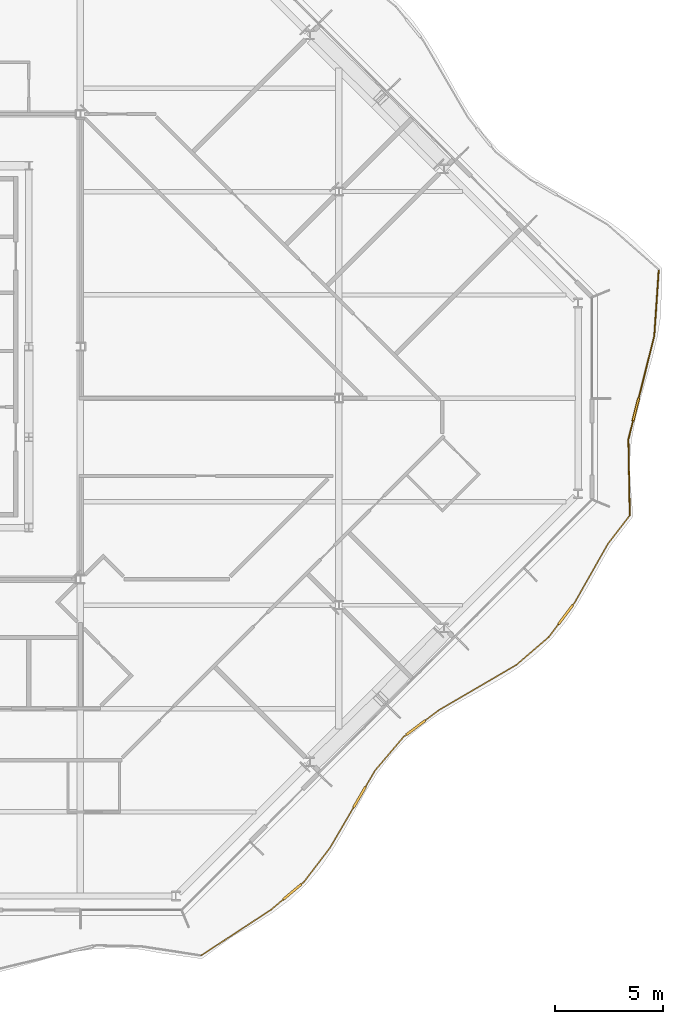
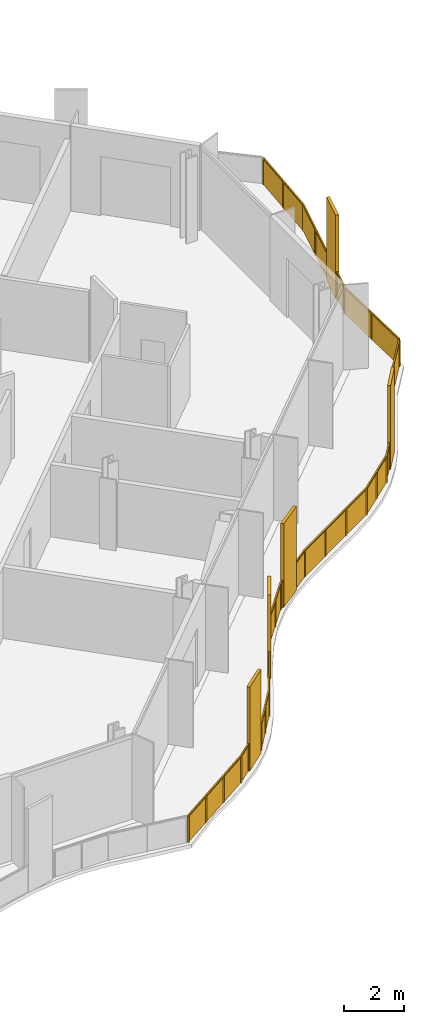
# One storey, part 15 of 17: 2 railings.
"""IFC4 building model written with IfcOpenShell, lengths in metres."""

from ifc_helpers import new_model, si_unit, direction, frame, origin, origin_2d, place, context, subcontext, project, spatial, polyline, rectangle, outline, extrude, material, type_object, element, save


model = new_model("IFC4")

# Units and contexts
model_context = context("Model", 3, precision=1e-05, world=origin(), true_north=direction((0.0, 1.0)))
body_context = subcontext(model_context, "Body", "Model", "MODEL_VIEW")
ifc_project = project(units=[si_unit("LENGTHUNIT", "METRE"), si_unit("AREAUNIT", "SQUARE_METRE"), si_unit("VOLUMEUNIT", "CUBIC_METRE"), si_unit("PLANEANGLEUNIT", "RADIAN"), si_unit("MASSUNIT", "GRAM", prefix="KILO")], contexts=[model_context])

# Site, building, storey
site_placement = place(None, origin())
site = spatial("IfcSite", under=ifc_project, at=site_placement, CompositionType="ELEMENT")
building_placement = place(site_placement, origin())
building = spatial("IfcBuilding", under=site, at=building_placement, Name="Cairn Pilgrim Tower", CompositionType="ELEMENT")
storey_placement = place(building_placement, frame((0.0, 0.0, 214.199951171875)))
storey = spatial("IfcBuildingStorey", under=building, at=storey_placement, Name="L54", CompositionType="ELEMENT", Elevation=214.199951171875)

# Railings
ifc_material = material(Name="Bronze anodised aluminium rail, posts and fin screens with laminated glass infill", Category="aluminium")
railing_type = type_object("IfcRailingType", Name="BALCONY GUARD WITH FIN SCREENS", PredefinedType="GUARDRAIL", material=ifc_material)
railing_1_placement = place(storey_placement, frame((24.802001953125, -25.861328125, 0.0)))
element("IfcRailing", 1, at=railing_1_placement, inside=storey, type_object=railing_type, Name="Balcony guard BGF-1 with fin screens", PredefinedType="GUARDRAIL", context=body_context, shape_type="SweptSolid", body=[
    extrude(rectangle(XDim=0.050048828125, YDim=0.050048828125, at=origin_2d()), frame((0.0, 0.0, 1.0751953125), z_axis=(0.836813982125, 0.5474873143, 0.0), x_axis=(-0.5474873143, 0.836813982125, 0.0)), (0.0, 0.0, 1.0), 3.869873046875),
    extrude(rectangle(XDim=1.10009765625, YDim=0.110107421875, at=origin_2d()), frame((4.22802734375, 2.951171875, 0.0), z_axis=(0.0, 0.0, 1.0), x_axis=(0.765241410495, 0.643743414462, 0.0)), (0.0, 0.0, 1.0), 3.39990234375),
    extrude(rectangle(XDim=0.050048828125, YDim=0.050048828125, at=origin_2d()), frame((3.23828125, 2.11865234375, 1.0751953125), z_axis=(0.765241410495, 0.643743414462, 0.0), x_axis=(-0.643743414462, 0.765241410495, 0.0)), (0.0, 0.0, 1.0), 0.7431640625),
    extrude(rectangle(XDim=0.050048828125, YDim=0.050048828125, at=origin_2d()), frame((4.648681640625, 3.30517578125, 1.0751953125), z_axis=(0.765241410495, 0.643743414462, 0.0), x_axis=(-0.643743414462, 0.765241410495, 0.0)), (0.0, 0.0, 1.0), 0.150146484375),
    extrude(rectangle(XDim=0.050048828125, YDim=0.050048828125, at=origin_2d()), frame((4.763671875, 3.40185546875, 1.0751953125), z_axis=(0.607151512151, 0.794586081739, 0.0), x_axis=(-0.794586081739, 0.607151512151, 0.0)), (0.0, 0.0, 1.0), 2.00341796875),
    extrude(rectangle(XDim=1.10009765625, YDim=0.110107421875, at=origin_2d()), frame((7.353515625, 7.350341796875, 0.0), z_axis=(0.0, 0.0, 1.0), x_axis=(0.503546529714, 0.863968108447, 0.0)), (0.0, 0.0, 1.0), 3.39990234375),
    extrude(rectangle(XDim=0.050048828125, YDim=0.050048828125, at=origin_2d()), frame((5.97998046875, 4.99365234375, 1.0751953125), z_axis=(0.503546529714, 0.863968108447, 0.0), x_axis=(-0.863968108447, 0.503546529714, 0.0)), (0.0, 0.0, 1.0), 2.177978515625),
    extrude(rectangle(XDim=0.050048828125, YDim=0.050048828125, at=origin_2d()), frame((7.630615234375, 7.82568359375, 1.0751953125), z_axis=(0.503546529714, 0.863968108447, 0.0), x_axis=(-0.863968108447, 0.503546529714, 0.0)), (0.0, 0.0, 1.0), 0.885986328125),
    extrude(rectangle(XDim=0.050048828125, YDim=0.050048828125, at=origin_2d()), frame((8.07666015625, 8.591064453125, 1.0751953125), z_axis=(0.64749613489, 0.762068733975, 0.0), x_axis=(-0.762068733975, 0.64749613489, 0.0)), (0.0, 0.0, 1.0), 2.0478515625),
    extrude(rectangle(XDim=1.10009765625, YDim=0.110107421875, at=origin_2d()), frame((9.960693359375, 10.57421875, 0.0), z_axis=(0.0, 0.0, 1.0), x_axis=(0.797183939846, 0.603736503825, 0.0)), (0.0, 0.0, 1.0), 3.39990234375),
    extrude(rectangle(XDim=0.050048828125, YDim=0.050048828125, at=origin_2d()), frame((9.402587890625, 10.151611328125, 1.0751953125), z_axis=(0.797183939846, 0.603736503825, 0.0), x_axis=(-0.603736503825, 0.797183939846, 0.0)), (0.0, 0.0, 1.0), 0.14990234375),
    extrude(rectangle(XDim=0.050048828125, YDim=0.050048828125, at=origin_2d()), frame((10.39892578125, 10.90625, 1.0751953125), z_axis=(0.797183939846, 0.603736503825, 0.0), x_axis=(-0.603736503825, 0.797183939846, 0.0)), (0.0, 0.0, 1.0), 0.805908203125),
    extrude(rectangle(XDim=0.050048828125, YDim=0.050048828125, at=origin_2d()), frame((11.04150390625, 11.392822265625, 1.0751953125), z_axis=(0.863712826562, 0.503984278755, 0.0), x_axis=(-0.503984278755, 0.863712826562, 0.0)), (0.0, 0.0, 1.0), 4.15478515625),
    extrude(rectangle(XDim=0.050048828125, YDim=0.050048828125, at=origin_2d()), frame((14.630126953125, 13.48681640625, 1.0751953125), z_axis=(0.75897903258, 0.651115065179, 0.0), x_axis=(-0.651115065179, 0.75897903258, 0.0)), (0.0, 0.0, 1.0), 1.9873046875),
    extrude(rectangle(XDim=1.10009765625, YDim=0.110107421875, at=origin_2d()), frame((16.922119140625, 15.824951171875, 0.0), z_axis=(0.0, 0.0, 1.0), x_axis=(0.600194771592, 0.799853884252, 0.0)), (0.0, 0.0, 1.0), 3.39990234375),
    extrude(rectangle(XDim=0.050048828125, YDim=0.050048828125, at=origin_2d()), frame((16.138427734375, 14.78076171875, 1.0751953125), z_axis=(0.600194771592, 0.799853884252, 0.0), x_axis=(-0.799853884252, 0.600194771592, 0.0)), (0.0, 0.0, 1.0), 0.755615234375),
    extrude(rectangle(XDim=0.050048828125, YDim=0.050048828125, at=origin_2d()), frame((17.252197265625, 16.264892578125, 1.0751953125), z_axis=(0.600194771592, 0.799853884252, 0.0), x_axis=(-0.799853884252, 0.600194771592, 0.0)), (0.0, 0.0, 1.0), 0.14990234375),
    extrude(rectangle(XDim=0.050048828125, YDim=0.050048828125, at=origin_2d()), frame((17.342041015625, 16.384765625, 1.0751953125), z_axis=(0.492617157518, 0.870246135366, 0.0), x_axis=(-0.870246135366, 0.492617157518, 0.0)), (0.0, 0.0, 1.0), 3.131591796875),
    extrude(rectangle(XDim=0.050048828125, YDim=0.050048828125, at=origin_2d()), frame((18.884765625, 19.110107421875, 1.0751953125), z_axis=(0.609997930091, 0.792403006863, 0.0), x_axis=(-0.792403006863, 0.609997930091, 0.0)), (0.0, 0.0, 1.0), 1.60205078125),
    extrude(rectangle(XDim=0.050048828125, YDim=0.050048828125, at=origin_2d()), origin(), (0.0, 0.0, 1.0), 1.050048828125),
    extrude(rectangle(XDim=0.050048828125, YDim=0.050048828125, at=origin_2d()), frame((1.079345703125, 0.706298828125, 0.0)), (0.0, 0.0, 1.0), 1.050048828125),
    extrude(rectangle(XDim=0.050048828125, YDim=0.050048828125, at=origin_2d()), frame((2.158935546875, 1.412353515625, 0.0)), (0.0, 0.0, 1.0), 1.050048828125),
    extrude(rectangle(XDim=0.050048828125, YDim=0.050048828125, at=origin_2d()), frame((3.23828125, 2.11865234375, 0.0)), (0.0, 0.0, 1.0), 1.050048828125),
    extrude(rectangle(XDim=0.050048828125, YDim=0.050048828125, at=origin_2d()), frame((3.787841796875, 2.5810546875, 0.0)), (0.0, 0.0, 1.0), 1.050048828125),
    extrude(rectangle(XDim=0.050048828125, YDim=0.050048828125, at=origin_2d()), frame((4.66796875, 3.3212890625, 0.0)), (0.0, 0.0, 1.0), 1.050048828125),
    extrude(rectangle(XDim=0.050048828125, YDim=0.050048828125, at=origin_2d()), frame((4.763671875, 3.40185546875, 0.0)), (0.0, 0.0, 1.0), 1.050048828125),
    extrude(rectangle(XDim=0.050048828125, YDim=0.050048828125, at=origin_2d()), frame((5.371826171875, 4.19775390625, 0.0)), (0.0, 0.0, 1.0), 1.050048828125),
    extrude(rectangle(XDim=0.050048828125, YDim=0.050048828125, at=origin_2d()), frame((5.97998046875, 4.99365234375, 0.0)), (0.0, 0.0, 1.0), 1.050048828125),
    extrude(rectangle(XDim=0.050048828125, YDim=0.050048828125, at=origin_2d()), frame((6.52197265625, 5.923583984375, 0.0)), (0.0, 0.0, 1.0), 1.050048828125),
    extrude(rectangle(XDim=0.050048828125, YDim=0.050048828125, at=origin_2d()), frame((7.06396484375, 6.853759765625, 0.0)), (0.0, 0.0, 1.0), 1.050048828125),
    extrude(rectangle(XDim=0.050048828125, YDim=0.050048828125, at=origin_2d()), frame((7.64306640625, 7.84716796875, 0.0)), (0.0, 0.0, 1.0), 1.050048828125),
    extrude(rectangle(XDim=0.050048828125, YDim=0.050048828125, at=origin_2d()), frame((8.07666015625, 8.591064453125, 0.0)), (0.0, 0.0, 1.0), 1.050048828125),
    extrude(rectangle(XDim=0.050048828125, YDim=0.050048828125, at=origin_2d()), frame((8.73974609375, 9.371337890625, 0.0)), (0.0, 0.0, 1.0), 1.050048828125),
    extrude(rectangle(XDim=0.050048828125, YDim=0.050048828125, at=origin_2d()), frame((9.402587890625, 10.151611328125, 0.0)), (0.0, 0.0, 1.0), 1.050048828125),
    extrude(rectangle(XDim=0.050048828125, YDim=0.050048828125, at=origin_2d()), frame((9.502197265625, 10.22705078125, 0.0)), (0.0, 0.0, 1.0), 1.050048828125),
    extrude(rectangle(XDim=0.050048828125, YDim=0.050048828125, at=origin_2d()), frame((10.4189453125, 10.92138671875, 0.0)), (0.0, 0.0, 1.0), 1.050048828125),
    extrude(rectangle(XDim=0.050048828125, YDim=0.050048828125, at=origin_2d()), frame((11.04150390625, 11.392822265625, 0.0)), (0.0, 0.0, 1.0), 1.050048828125),
    extrude(rectangle(XDim=0.050048828125, YDim=0.050048828125, at=origin_2d()), frame((12.23779296875, 12.0908203125, 0.0)), (0.0, 0.0, 1.0), 1.050048828125),
    extrude(rectangle(XDim=0.050048828125, YDim=0.050048828125, at=origin_2d()), frame((13.433837890625, 12.788818359375, 0.0)), (0.0, 0.0, 1.0), 1.050048828125),
    extrude(rectangle(XDim=0.050048828125, YDim=0.050048828125, at=origin_2d()), frame((14.630126953125, 13.48681640625, 0.0)), (0.0, 0.0, 1.0), 1.050048828125),
    extrude(rectangle(XDim=0.050048828125, YDim=0.050048828125, at=origin_2d()), frame((15.38427734375, 14.1337890625, 0.0)), (0.0, 0.0, 1.0), 1.050048828125),
    extrude(rectangle(XDim=0.050048828125, YDim=0.050048828125, at=origin_2d()), frame((16.138427734375, 14.78076171875, 0.0)), (0.0, 0.0, 1.0), 1.050048828125),
    extrude(rectangle(XDim=0.050048828125, YDim=0.050048828125, at=origin_2d()), frame((16.576904296875, 15.364990234375, 0.0)), (0.0, 0.0, 1.0), 1.050048828125),
    extrude(rectangle(XDim=0.050048828125, YDim=0.050048828125, at=origin_2d()), frame((17.26708984375, 16.284912109375, 0.0)), (0.0, 0.0, 1.0), 1.050048828125),
    extrude(rectangle(XDim=0.050048828125, YDim=0.050048828125, at=origin_2d()), frame((17.342041015625, 16.384765625, 0.0)), (0.0, 0.0, 1.0), 1.050048828125),
    extrude(rectangle(XDim=0.050048828125, YDim=0.050048828125, at=origin_2d()), frame((18.11328125, 17.74755859375, 0.0)), (0.0, 0.0, 1.0), 1.050048828125),
    extrude(rectangle(XDim=0.050048828125, YDim=0.050048828125, at=origin_2d()), frame((18.884765625, 19.110107421875, 0.0)), (0.0, 0.0, 1.0), 1.050048828125),
    extrude(rectangle(XDim=0.050048828125, YDim=0.050048828125, at=origin_2d()), frame((19.862060546875, 20.379638671875, 0.0)), (0.0, 0.0, 1.0), 1.050048828125),
    extrude(outline(polyline([(0.02490234375, 0.0), (1.264892578125, 0.0), (1.264892578125, 1.050048828125), (0.02490234375, 1.050048828125), (0.02490234375, 0.0)])), frame((-0.003173828125, 0.005126953125, 0.0), z_axis=(0.5474873143, -0.836813982125, 0.0), x_axis=(0.836813982125, 0.5474873143, 0.0)), (0.0, 0.0, 1.0), 0.011962890625),
    extrude(outline(polyline([(0.02490234375, 0.0), (1.264892578125, 0.0), (1.264892578125, 1.050048828125), (0.02490234375, 1.050048828125), (0.02490234375, 0.0)])), frame((1.076171875, 0.711181640625, 0.0), z_axis=(0.5474873143, -0.836813982125, 0.0), x_axis=(0.836813982125, 0.5474873143, 0.0)), (0.0, 0.0, 1.0), 0.011962890625),
    extrude(outline(polyline([(0.02490234375, 0.0), (1.264892578125, 0.0), (1.264892578125, 1.050048828125), (0.02490234375, 1.050048828125), (0.02490234375, 0.0)])), frame((2.155517578125, 1.41748046875, 0.0), z_axis=(0.5474873143, -0.836813982125, 0.0), x_axis=(0.836813982125, 0.5474873143, 0.0)), (0.0, 0.0, 1.0), 0.011962890625),
    extrude(outline(polyline([(0.02490234375, 0.0), (0.693115234375, 0.0), (0.693115234375, 1.050048828125), (0.02490234375, 1.050048828125), (0.02490234375, 0.0)])), frame((3.234375, 2.123291015625, 0.0), z_axis=(0.643743414462, -0.765241410495, 0.0), x_axis=(0.765241410495, 0.643743414462, 0.0)), (0.0, 0.0, 1.0), 0.011962890625),
    extrude(outline(polyline([(0.02490234375, 0.0), (0.10009765625, 0.0), (0.10009765625, 1.050048828125), (0.02490234375, 1.050048828125), (0.02490234375, 0.0)])), frame((4.6640625, 3.325927734375, 0.0), z_axis=(0.643743414462, -0.765241410495, 0.0), x_axis=(0.765241410495, 0.643743414462, 0.0)), (0.0, 0.0, 1.0), 0.011962890625),
    extrude(outline(polyline([(0.02490234375, 0.0), (0.9765625, 0.0), (0.9765625, 1.050048828125), (0.02490234375, 1.050048828125), (0.02490234375, 0.0)])), frame((4.759033203125, 3.405517578125, 0.0), z_axis=(0.794586081739, -0.607151512151, 0.0), x_axis=(0.607151512151, 0.794586081739, 0.0)), (0.0, 0.0, 1.0), 0.011962890625),
    extrude(outline(polyline([(0.02490234375, 0.0), (0.9765625, 0.0), (0.9765625, 1.050048828125), (0.02490234375, 1.050048828125), (0.02490234375, 0.0)])), frame((5.3671875, 4.201416015625, 0.0), z_axis=(0.794586081739, -0.607151512151, 0.0), x_axis=(0.607151512151, 0.794586081739, 0.0)), (0.0, 0.0, 1.0), 0.011962890625),
    extrude(outline(polyline([(0.02490234375, 0.0), (1.051513671875, 0.0), (1.051513671875, 1.050048828125), (0.02490234375, 1.050048828125), (0.02490234375, 0.0)])), frame((5.974853515625, 4.99658203125, 0.0), z_axis=(0.863968108447, -0.503546529714, 0.0), x_axis=(0.503546529714, 0.863968108447, 0.0)), (0.0, 0.0, 1.0), 0.011962890625),
    extrude(outline(polyline([(0.02490234375, 0.0), (1.051513671875, 0.0), (1.051513671875, 1.050048828125), (0.02490234375, 1.050048828125), (0.02490234375, 0.0)])), frame((6.516845703125, 5.9267578125, 0.0), z_axis=(0.863968108447, -0.503546529714, 0.0), x_axis=(0.503546529714, 0.863968108447, 0.0)), (0.0, 0.0, 1.0), 0.011962890625),
    extrude(outline(polyline([(0.02490234375, 0.0), (0.8359375, 0.0), (0.8359375, 1.050048828125), (0.02490234375, 1.050048828125), (0.02490234375, 0.0)])), frame((7.637939453125, 7.850341796875, 0.0), z_axis=(0.863968108447, -0.503546529714, 0.0), x_axis=(0.503546529714, 0.863968108447, 0.0)), (0.0, 0.0, 1.0), 0.011962890625),
    extrude(outline(polyline([(0.02490234375, 0.0), (0.998779296875, 0.0), (0.998779296875, 1.050048828125), (0.02490234375, 1.050048828125), (0.02490234375, 0.0)])), frame((8.072021484375, 8.594970703125, 0.0), z_axis=(0.762068733975, -0.64749613489, 0.0), x_axis=(0.64749613489, 0.762068733975, 0.0)), (0.0, 0.0, 1.0), 0.011962890625),
    extrude(outline(polyline([(0.02490234375, 0.0), (0.998779296875, 0.0), (0.998779296875, 1.050048828125), (0.02490234375, 1.050048828125), (0.02490234375, 0.0)])), frame((8.735107421875, 9.375244140625, 0.0), z_axis=(0.762068733975, -0.64749613489, 0.0), x_axis=(0.64749613489, 0.762068733975, 0.0)), (0.0, 0.0, 1.0), 0.011962890625),
    extrude(outline(polyline([(0.02490234375, 0.0), (0.099853515625, 0.0), (0.099853515625, 1.050048828125), (0.02490234375, 1.050048828125), (0.02490234375, 0.0)])), frame((9.39892578125, 10.156494140625, 0.0), z_axis=(0.603736503825, -0.797183939846, 0.0), x_axis=(0.797183939846, 0.603736503825, 0.0)), (0.0, 0.0, 1.0), 0.011962890625),
    extrude(outline(polyline([(0.02490234375, 0.0), (0.755859375, 0.0), (0.755859375, 1.050048828125), (0.02490234375, 1.050048828125), (0.02490234375, 0.0)])), frame((10.415283203125, 10.926025390625, 0.0), z_axis=(0.603736503825, -0.797183939846, 0.0), x_axis=(0.797183939846, 0.603736503825, 0.0)), (0.0, 0.0, 1.0), 0.011962890625),
    extrude(outline(polyline([(0.02490234375, 0.0), (1.35986328125, 0.0), (1.35986328125, 1.050048828125), (0.02490234375, 1.050048828125), (0.02490234375, 0.0)])), frame((11.03857421875, 11.39794921875, 0.0), z_axis=(0.503984278755, -0.863712826562, 0.0), x_axis=(0.863712826562, 0.503984278755, 0.0)), (0.0, 0.0, 1.0), 0.011962890625),
    extrude(outline(polyline([(0.02490234375, 0.0), (1.35986328125, 0.0), (1.35986328125, 1.050048828125), (0.02490234375, 1.050048828125), (0.02490234375, 0.0)])), frame((12.234619140625, 12.095947265625, 0.0), z_axis=(0.503984278755, -0.863712826562, 0.0), x_axis=(0.863712826562, 0.503984278755, 0.0)), (0.0, 0.0, 1.0), 0.011962890625),
    extrude(outline(polyline([(0.02490234375, 0.0), (1.35986328125, 0.0), (1.35986328125, 1.050048828125), (0.02490234375, 1.050048828125), (0.02490234375, 0.0)])), frame((13.430908203125, 12.7939453125, 0.0), z_axis=(0.503984278755, -0.863712826562, 0.0), x_axis=(0.863712826562, 0.503984278755, 0.0)), (0.0, 0.0, 1.0), 0.011962890625),
    extrude(outline(polyline([(0.02490234375, 0.0), (0.968505859375, 0.0), (0.968505859375, 1.050048828125), (0.02490234375, 1.050048828125), (0.02490234375, 0.0)])), frame((14.626220703125, 13.491455078125, 0.0), z_axis=(0.651115065179, -0.75897903258, 0.0), x_axis=(0.75897903258, 0.651115065179, 0.0)), (0.0, 0.0, 1.0), 0.011962890625),
    extrude(outline(polyline([(0.02490234375, 0.0), (0.968505859375, 0.0), (0.968505859375, 1.050048828125), (0.02490234375, 1.050048828125), (0.02490234375, 0.0)])), frame((15.38037109375, 14.138427734375, 0.0), z_axis=(0.651115065179, -0.75897903258, 0.0), x_axis=(0.75897903258, 0.651115065179, 0.0)), (0.0, 0.0, 1.0), 0.011962890625),
    extrude(outline(polyline([(0.02490234375, 0.0), (0.70556640625, 0.0), (0.70556640625, 1.050048828125), (0.02490234375, 1.050048828125), (0.02490234375, 0.0)])), frame((16.133544921875, 14.784423828125, 0.0), z_axis=(0.799853884252, -0.600194771592, 0.0), x_axis=(0.600194771592, 0.799853884252, 0.0)), (0.0, 0.0, 1.0), 0.011962890625),
    extrude(outline(polyline([(0.02490234375, 0.0), (0.099853515625, 0.0), (0.099853515625, 1.050048828125), (0.02490234375, 1.050048828125), (0.02490234375, 0.0)])), frame((17.262451171875, 16.28857421875, 0.0), z_axis=(0.799853884252, -0.600194771592, 0.0), x_axis=(0.600194771592, 0.799853884252, 0.0)), (0.0, 0.0, 1.0), 0.011962890625),
    extrude(outline(polyline([(0.02490234375, 0.0), (1.540771484375, 0.0), (1.540771484375, 1.050048828125), (0.02490234375, 1.050048828125), (0.02490234375, 0.0)])), frame((17.3369140625, 16.3876953125, 0.0), z_axis=(0.870246135366, -0.492617157518, 0.0), x_axis=(0.492617157518, 0.870246135366, 0.0)), (0.0, 0.0, 1.0), 0.011962890625),
    extrude(outline(polyline([(0.02490234375, 0.0), (1.540771484375, 0.0), (1.540771484375, 1.050048828125), (0.02490234375, 1.050048828125), (0.02490234375, 0.0)])), frame((18.108154296875, 17.75048828125, 0.0), z_axis=(0.870246135366, -0.492617157518, 0.0), x_axis=(0.492617157518, 0.870246135366, 0.0)), (0.0, 0.0, 1.0), 0.011962890625),
    extrude(outline(polyline([(0.02490234375, 0.0), (1.5771484375, 0.0), (1.5771484375, 1.050048828125), (0.02490234375, 1.050048828125), (0.02490234375, 0.0)])), frame((18.880126953125, 19.11376953125, 0.0), z_axis=(0.792403006863, -0.609997930091, 0.0), x_axis=(0.609997930091, 0.792403006863, 0.0)), (0.0, 0.0, 1.0), 0.011962890625),
])
railing_2_placement = place(storey_placement, frame((44.700439453125, -5.434326171875, 0.0)))
element("IfcRailing", 2, at=railing_2_placement, inside=storey, type_object=railing_type, Name="Balcony guard BGF-2 with fin screens", PredefinedType="GUARDRAIL", context=body_context, shape_type="SweptSolid", body=[
    extrude(rectangle(XDim=0.050048828125, YDim=0.050048828125, at=origin_2d()), frame((0.0, 0.0, 1.0751953125), z_axis=(-0.01831700939, 0.99983222951, 0.0), x_axis=(-0.99983222951, -0.01831700939, 0.0)), (0.0, 0.0, 1.0), 3.531982421875),
    extrude(rectangle(XDim=1.10009765625, YDim=0.110107421875, at=origin_2d()), frame((0.283935546875, 4.92529296875, 0.0), z_axis=(0.0, 0.0, 1.0), x_axis=(0.24274432702, 0.970090300796, 0.0)), (0.0, 0.0, 1.0), 3.39990234375),
    extrude(rectangle(XDim=0.050048828125, YDim=0.050048828125, at=origin_2d()), frame((-0.064697265625, 3.531494140625, 1.0751953125), z_axis=(0.24274432702, 0.970090300796, 0.0), x_axis=(-0.970090300796, 0.24274432702, 0.0)), (0.0, 0.0, 1.0), 0.88671875),
    extrude(rectangle(XDim=0.050048828125, YDim=0.050048828125, at=origin_2d()), frame((0.41748046875, 5.458740234375, 1.0751953125), z_axis=(0.24274432702, 0.970090300796, 0.0), x_axis=(-0.970090300796, 0.24274432702, 0.0)), (0.0, 0.0, 1.0), 2.967529296875),
    extrude(rectangle(XDim=0.050048828125, YDim=0.050048828125, at=origin_2d()), frame((1.137939453125, 8.337646484375, 1.0751953125), z_axis=(0.067124817919, 0.997744585963, 0.0), x_axis=(-0.997744585963, 0.067124817919, 0.0)), (0.0, 0.0, 1.0), 3.0224609375),
    extrude(rectangle(XDim=0.050048828125, YDim=0.050048828125, at=origin_2d()), origin(), (0.0, 0.0, 1.0), 1.050048828125),
    extrude(rectangle(XDim=0.050048828125, YDim=0.050048828125, at=origin_2d()), frame((-0.0322265625, 1.765625, 0.0)), (0.0, 0.0, 1.0), 1.050048828125),
    extrude(rectangle(XDim=0.050048828125, YDim=0.050048828125, at=origin_2d()), frame((-0.064697265625, 3.531494140625, 0.0)), (0.0, 0.0, 1.0), 1.050048828125),
    extrude(rectangle(XDim=0.050048828125, YDim=0.050048828125, at=origin_2d()), frame((0.14453125, 4.367431640625, 0.0)), (0.0, 0.0, 1.0), 1.050048828125),
    extrude(rectangle(XDim=0.050048828125, YDim=0.050048828125, at=origin_2d()), frame((0.423583984375, 5.483154296875, 0.0)), (0.0, 0.0, 1.0), 1.050048828125),
    extrude(rectangle(XDim=0.050048828125, YDim=0.050048828125, at=origin_2d()), frame((0.78076171875, 6.910400390625, 0.0)), (0.0, 0.0, 1.0), 1.050048828125),
    extrude(rectangle(XDim=0.050048828125, YDim=0.050048828125, at=origin_2d()), frame((1.137939453125, 8.337646484375, 0.0)), (0.0, 0.0, 1.0), 1.050048828125),
    extrude(rectangle(XDim=0.050048828125, YDim=0.050048828125, at=origin_2d()), frame((1.2392578125, 9.845458984375, 0.0)), (0.0, 0.0, 1.0), 1.050048828125),
    extrude(rectangle(XDim=0.050048828125, YDim=0.050048828125, at=origin_2d()), frame((1.3408203125, 11.353271484375, 0.0)), (0.0, 0.0, 1.0), 1.050048828125),
    extrude(outline(polyline([(0.02490234375, 0.0), (1.740966796875, 0.0), (1.740966796875, 1.050048828125), (0.02490234375, 1.050048828125), (0.02490234375, 0.0)])), frame((-0.005859375, 0.0, 0.0), z_axis=(0.99983222951, 0.01831700939, 0.0), x_axis=(-0.01831700939, 0.99983222951, 0.0)), (0.0, 0.0, 1.0), 0.011962890625),
    extrude(outline(polyline([(0.02490234375, 0.0), (1.740966796875, 0.0), (1.740966796875, 1.050048828125), (0.02490234375, 1.050048828125), (0.02490234375, 0.0)])), frame((-0.038330078125, 1.765625, 0.0), z_axis=(0.99983222951, 0.01831700939, 0.0), x_axis=(-0.01831700939, 0.99983222951, 0.0)), (0.0, 0.0, 1.0), 0.011962890625),
    extrude(outline(polyline([(0.02490234375, 0.0), (0.836669921875, 0.0), (0.836669921875, 1.050048828125), (0.02490234375, 1.050048828125), (0.02490234375, 0.0)])), frame((-0.070556640625, 3.532958984375, 0.0), z_axis=(0.970090300796, -0.24274432702, 0.0), x_axis=(0.24274432702, 0.970090300796, 0.0)), (0.0, 0.0, 1.0), 0.011962890625),
    extrude(outline(polyline([(0.02490234375, 0.0), (1.4462890625, 0.0), (1.4462890625, 1.050048828125), (0.02490234375, 1.050048828125), (0.02490234375, 0.0)])), frame((0.417724609375, 5.484619140625, 0.0), z_axis=(0.970090300796, -0.24274432702, 0.0), x_axis=(0.24274432702, 0.970090300796, 0.0)), (0.0, 0.0, 1.0), 0.011962890625),
    extrude(outline(polyline([(0.02490234375, 0.0), (1.4462890625, 0.0), (1.4462890625, 1.050048828125), (0.02490234375, 1.050048828125), (0.02490234375, 0.0)])), frame((0.77490234375, 6.911865234375, 0.0), z_axis=(0.970090300796, -0.24274432702, 0.0), x_axis=(0.24274432702, 0.970090300796, 0.0)), (0.0, 0.0, 1.0), 0.011962890625),
    extrude(outline(polyline([(0.02490234375, 0.0), (1.486083984375, 0.0), (1.486083984375, 1.050048828125), (0.02490234375, 1.050048828125), (0.02490234375, 0.0)])), frame((1.132080078125, 8.338134765625, 0.0), z_axis=(0.997744585963, -0.067124817919, 0.0), x_axis=(0.067124817919, 0.997744585963, 0.0)), (0.0, 0.0, 1.0), 0.011962890625),
    extrude(outline(polyline([(0.02490234375, 0.0), (1.486083984375, 0.0), (1.486083984375, 1.050048828125), (0.02490234375, 1.050048828125), (0.02490234375, 0.0)])), frame((1.2333984375, 9.845947265625, 0.0), z_axis=(0.997744585963, -0.067124817919, 0.0), x_axis=(0.067124817919, 0.997744585963, 0.0)), (0.0, 0.0, 1.0), 0.011962890625),
])

save(model, "model.ifc")
